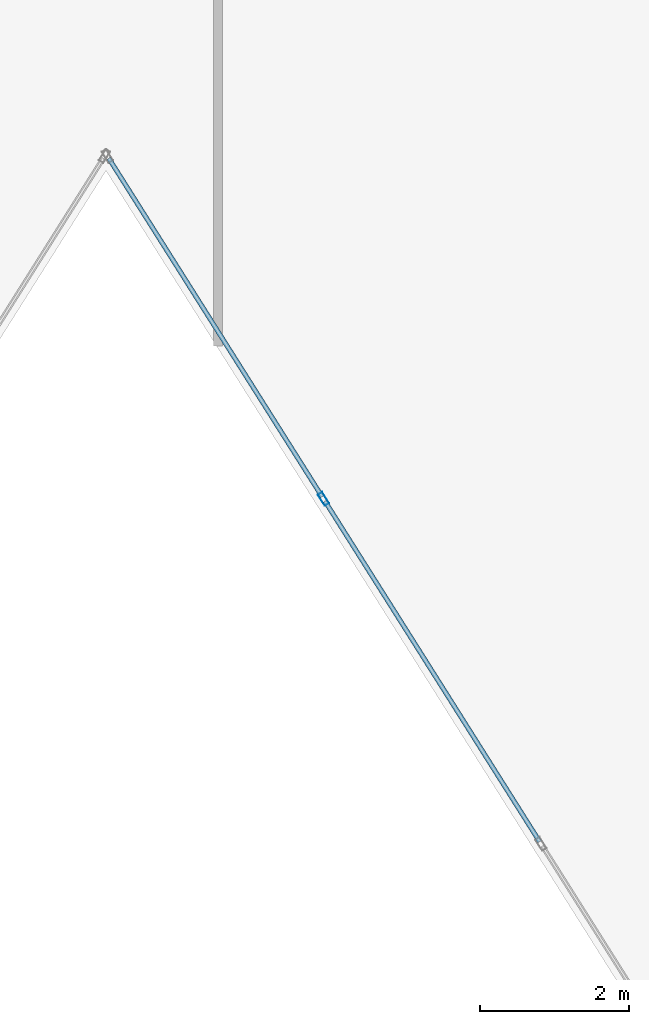
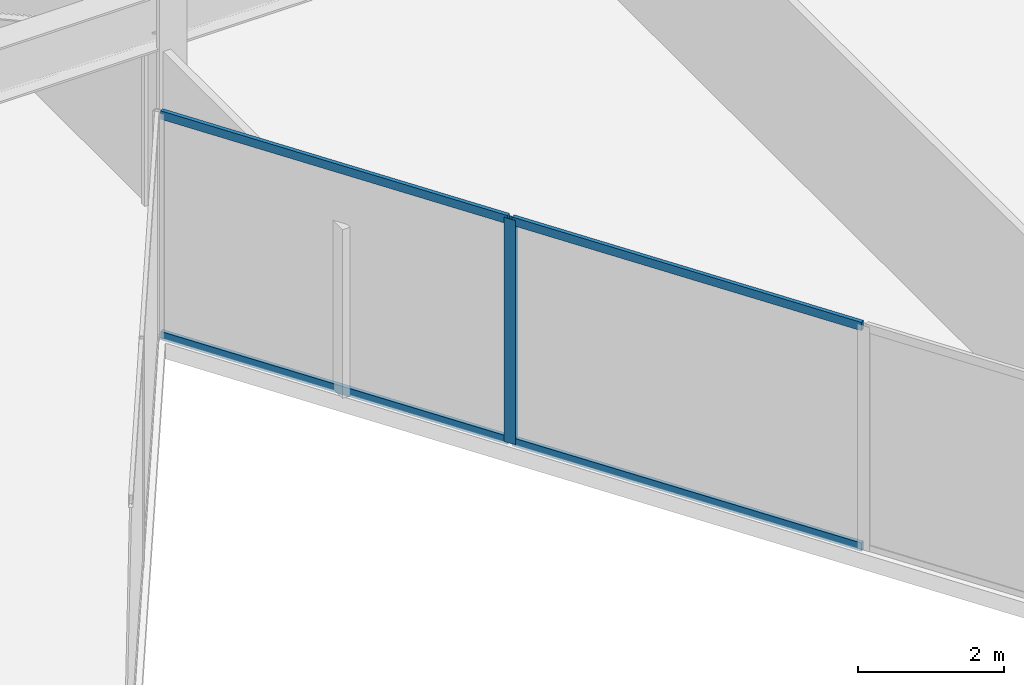
# One storey, part 15 of 24: 5 members, 1 element without a shape of its own.
"""IFC4 building model written with IfcOpenShell, lengths in metres."""

from ifc_helpers import new_model, si_unit, direction, frame, origin, origin_2d, place, context, subcontext, project, spatial, hollow_rectangle, extrude, material, layer, layer_set, material_profile, profile_set, type_object, element, aggregate, save


model = new_model("IFC4")

# Units and contexts
model_context = context("Model", 3, precision=1e-05, world=origin(), true_north=direction((0.0, 1.0)))
body_context = subcontext(model_context, "Body", "Model", "MODEL_VIEW")
ifc_project = project(units=[si_unit("LENGTHUNIT", "METRE"), si_unit("AREAUNIT", "SQUARE_METRE"), si_unit("VOLUMEUNIT", "CUBIC_METRE"), si_unit("PLANEANGLEUNIT", "RADIAN"), si_unit("MASSUNIT", "GRAM", prefix="KILO")], contexts=[model_context])

# Site, building, storey
site_placement = place(None, origin())
site = spatial("IfcSite", under=ifc_project, at=site_placement, CompositionType="ELEMENT")
building_placement = place(site_placement, origin())
building = spatial("IfcBuilding", under=site, at=building_placement, Name="Kravanh Interchange Tower", CompositionType="ELEMENT")
storey_placement = place(building_placement, frame((0.0, 0.0, 69.5)))
storey = spatial("IfcBuildingStorey", under=building, at=storey_placement, Name="L16", CompositionType="ELEMENT", Elevation=69.5)

# Curtain wall, members
ifc_material_1 = material(Name="Anodised Bronze Aluminium", Category="aluminium")
ifc_layer = layer(ifc_material_1, 0.179931640625)
ifc_layer_set = layer_set([ifc_layer], Name="Unitised Curtain Wall System CW-Z1 Lower Office")
curtain_wall_type = type_object("IfcCurtainWallType", Name="Unitised Curtain Wall System CW-Z1 Lower Office", PredefinedType="NOTDEFINED", material=ifc_layer_set)
curtain_wall_placement = place(storey_placement, origin())
curtain_wall = element("IfcCurtainWall", 1, at=curtain_wall_placement, inside=storey, type_object=curtain_wall_type, Name="L16 Unitised Curtain Wall CW-L16-04", PredefinedType="NOTDEFINED")
ifc_material_2 = material(Name="Anodised Bronze Aluminium", Category="aluminium")
ifc_material_profile_1 = material_profile(ifc_material_2, hollow_rectangle(XDim=0.070068359375, YDim=0.179931640625, WallThickness=0.00390625, at=origin_2d()), Name="ALU70X180X4")
ifc_profile_set_1 = profile_set([ifc_material_profile_1], Name="Anodised Bronze Aluminium")
member_type_1 = type_object("IfcMemberType", Name="Curtain Wall Mullion ALU70X180X4 Bronze", PredefinedType="MULLION", material=ifc_profile_set_1)
member_1_placement = place(storey_placement, frame((39.913330078125, 19.60400390625, 0.0), z_axis=(0.0, 0.0, 1.0), x_axis=(-0.845925530786, -0.53330103728, 0.0)))
member_1 = element("IfcMember", 2, at=member_1_placement, type_object=member_type_1, Name="CW-Z1 mullion 5", PredefinedType="MULLION", context=body_context, shape_type="SweptSolid", body=[
    extrude(hollow_rectangle(XDim=0.070068359375, YDim=0.179931640625, WallThickness=0.00390625, at=origin_2d()), origin(), (0.0, 0.0, 1.0), 3.739990234375),
])
ifc_material_3 = material(Name="Anodised Bronze Aluminium", Category="aluminium")
ifc_material_profile_2 = material_profile(ifc_material_3, hollow_rectangle(XDim=0.06005859375, YDim=0.139892578125, WallThickness=0.00390625, at=origin_2d()), Name="ALU60X140X4")
ifc_profile_set_2 = profile_set([ifc_material_profile_2], Name="Anodised Bronze Aluminium")
member_type_2 = type_object("IfcMemberType", Name="Curtain Wall Transom ALU60X140X4 Bronze", PredefinedType="USERDEFINED", material=ifc_profile_set_2)
member_2_placement = place(storey_placement, frame((42.807861328125, 15.0126953125, 0.030029296875), z_axis=(-0.533311487456, 0.84591894254, 0.0), x_axis=(-0.84591894254, -0.533311487456, 0.0)))
member_2 = element("IfcMember", 3, at=member_2_placement, type_object=member_type_2, Name="CW-Z1 transom 4.1", ObjectType="TRANSOM", PredefinedType="USERDEFINED", context=body_context, shape_type="SweptSolid", body=[
    extrude(hollow_rectangle(XDim=0.06005859375, YDim=0.139892578125, WallThickness=0.00390625, at=origin_2d()), origin(), (0.0, 0.0, 1.0), 5.392578125),
])
member_3_placement = place(storey_placement, frame((42.807861328125, 15.0126953125, 3.7099609375), z_axis=(-0.533311487456, 0.84591894254, 0.0), x_axis=(-0.84591894254, -0.533311487456, 0.0)))
member_3 = element("IfcMember", 4, at=member_3_placement, type_object=member_type_2, Name="CW-Z1 transom 4.2", ObjectType="TRANSOM", PredefinedType="USERDEFINED", context=body_context, shape_type="SweptSolid", body=[
    extrude(hollow_rectangle(XDim=0.06005859375, YDim=0.139892578125, WallThickness=0.00390625, at=origin_2d()), origin(), (0.0, 0.0, 1.0), 5.392578125),
])
member_4_placement = place(storey_placement, frame((39.89453125, 19.633544921875, 0.030029296875), z_axis=(-0.533288163518, 0.845933646719, 0.0), x_axis=(-0.845933646719, -0.533288163518, 0.0)))
member_4 = element("IfcMember", 5, at=member_4_placement, type_object=member_type_2, Name="CW-Z1 transom 5.1", ObjectType="TRANSOM", PredefinedType="USERDEFINED", context=body_context, shape_type="SweptSolid", body=[
    extrude(hollow_rectangle(XDim=0.06005859375, YDim=0.139892578125, WallThickness=0.00390625, at=origin_2d()), origin(), (0.0, 0.0, 1.0), 5.357666015625),
])
member_5_placement = place(storey_placement, frame((39.89453125, 19.633544921875, 3.7099609375), z_axis=(-0.533288163518, 0.845933646719, 0.0), x_axis=(-0.845933646719, -0.533288163518, 0.0)))
member_5 = element("IfcMember", 6, at=member_5_placement, type_object=member_type_2, Name="CW-Z1 transom 5.2", ObjectType="TRANSOM", PredefinedType="USERDEFINED", context=body_context, shape_type="SweptSolid", body=[
    extrude(hollow_rectangle(XDim=0.06005859375, YDim=0.139892578125, WallThickness=0.00390625, at=origin_2d()), origin(), (0.0, 0.0, 1.0), 5.357666015625),
])
aggregate(curtain_wall, [member_1, member_2, member_3, member_4, member_5])

save(model, "model.ifc")
